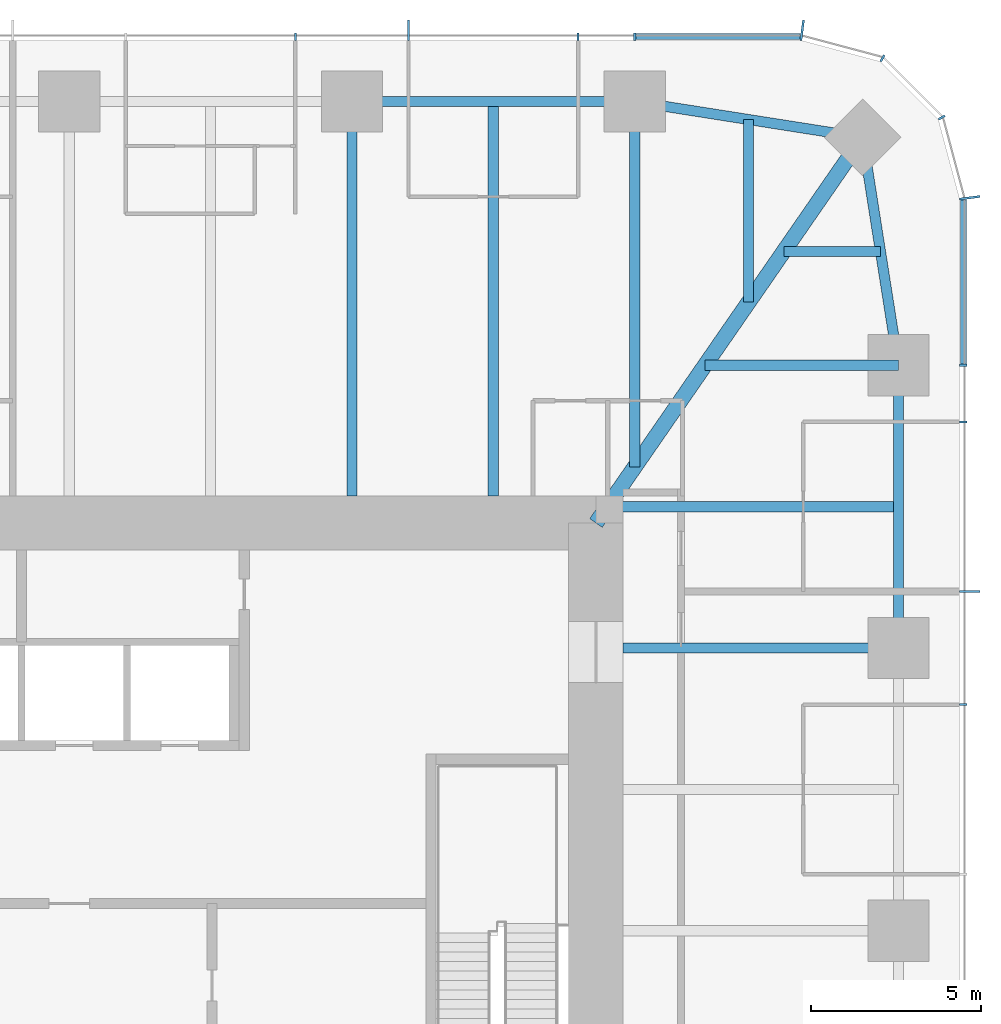
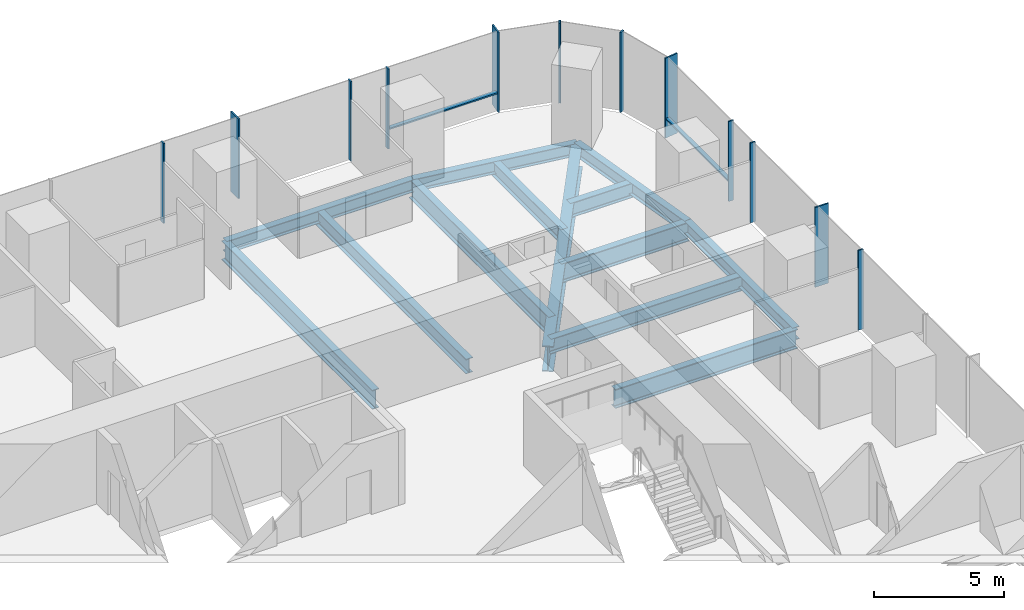
# One storey, part 6 of 12: 14 members, 13 beams, 3 elements without a shape of their own.
"""IFC4 building model written with IfcOpenShell, lengths in metres."""

from ifc_helpers import new_model, si_unit, direction, frame, origin, origin_2d, place, context, subcontext, project, spatial, rectangle, i_section, extrude, material, material_profile, profile_set, type_object, element, aggregate, save


model = new_model("IFC4")

# Units and contexts
model_context = context("Model", 3, precision=1e-05, world=origin(), true_north=direction((0.0, 1.0)))
body_context = subcontext(model_context, "Body", "Model", "MODEL_VIEW")
ifc_project = project(units=[si_unit("LENGTHUNIT", "METRE"), si_unit("AREAUNIT", "SQUARE_METRE"), si_unit("VOLUMEUNIT", "CUBIC_METRE"), si_unit("PLANEANGLEUNIT", "RADIAN"), si_unit("MASSUNIT", "GRAM", prefix="KILO")], contexts=[model_context])

# Site, building, storey
site_placement = place(None, origin())
site = spatial("IfcSite", under=ifc_project, at=site_placement, CompositionType="ELEMENT")
building_placement = place(site_placement, origin())
building = spatial("IfcBuilding", under=site, at=building_placement, Name="Khuree Lantern Residences", CompositionType="ELEMENT")
storey_placement = place(building_placement, frame((0.0, 0.0, 222.0)))
storey = spatial("IfcBuildingStorey", under=building, at=storey_placement, Name="L55", CompositionType="ELEMENT", Elevation=222.0)

# Beams
ifc_material_1 = material(Name="Steel S355", Category="steel")
ifc_material_profile_1 = material_profile(ifc_material_1, i_section(OverallWidth=0.300048828125, OverallDepth=0.68994140625, WebThickness=0.014404296875, FlangeThickness=0.027099609375, FilletRadius=0.027099609375, at=origin_2d()), Name="HE 700 A")
ifc_profile_set_1 = profile_set([ifc_material_profile_1], Name="Steel S355")
beam_type_1 = type_object("IfcBeamType", Name="B-32 SECONDARY BEAM HE 700 A", PredefinedType="BEAM", material=ifc_profile_set_1)
beam_1_placement = place(storey_placement, frame((12.47998046875, 24.39990234375, -0.594970703125), z_axis=(0.0, -1.0, 0.0), x_axis=(1.0, 0.0, 0.0)))
element("IfcBeam", 1, at=beam_1_placement, inside=storey, type_object=beam_type_1, Name="Secondary beam N4", PredefinedType="BEAM", context=body_context, shape_type="SweptSolid", body=[
    extrude(i_section(OverallWidth=0.300048828125, OverallDepth=0.68994140625, WebThickness=0.014404296875, FlangeThickness=0.027099609375, FilletRadius=0.027099609375, at=origin_2d()), origin(), (0.0, 0.0, 1.0), 11.599853515625),
])
beam_2_placement = place(storey_placement, frame((19.992919921875, 23.872802734375, -0.594970703125), z_axis=(0.0, -1.0, 0.0), x_axis=(1.0, 0.0, 0.0)))
element("IfcBeam", 2, at=beam_2_placement, inside=storey, type_object=beam_type_1, Name="Secondary beam N5", PredefinedType="BEAM", context=body_context, shape_type="SweptSolid", body=[
    extrude(i_section(OverallWidth=0.300048828125, OverallDepth=0.68994140625, WebThickness=0.014404296875, FlangeThickness=0.027099609375, FilletRadius=0.027099609375, at=origin_2d()), origin(), (0.0, 0.0, 1.0), 5.375732421875),
])
beam_3_placement = place(storey_placement, frame((23.872802734375, 19.992919921875, -0.594970703125), z_axis=(-1.0, 0.0, 0.0), x_axis=(0.0, -1.0, 0.0)))
element("IfcBeam", 3, at=beam_3_placement, inside=storey, type_object=beam_type_1, Name="Secondary beam E1", PredefinedType="BEAM", context=body_context, shape_type="SweptSolid", body=[
    extrude(i_section(OverallWidth=0.300048828125, OverallDepth=0.68994140625, WebThickness=0.014404296875, FlangeThickness=0.027099609375, FilletRadius=0.027099609375, at=origin_2d()), origin(), (0.0, 0.0, 1.0), 2.845703125),
])
beam_4_placement = place(storey_placement, frame((24.39990234375, 12.47998046875, -0.594970703125), z_axis=(-1.0, 0.0, 0.0), x_axis=(0.0, -1.0, 0.0)))
element("IfcBeam", 4, at=beam_4_placement, inside=storey, type_object=beam_type_1, Name="Secondary beam E2", PredefinedType="BEAM", context=body_context, shape_type="SweptSolid", body=[
    extrude(i_section(OverallWidth=0.300048828125, OverallDepth=0.68994140625, WebThickness=0.014404296875, FlangeThickness=0.027099609375, FilletRadius=0.027099609375, at=origin_2d()), origin(), (0.0, 0.0, 1.0), 8.56787109375),
])
ifc_material_profile_2 = material_profile(ifc_material_1, i_section(OverallWidth=0.300048828125, OverallDepth=0.590087890625, WebThickness=0.012939453125, FlangeThickness=0.02490234375, FilletRadius=0.027099609375, at=origin_2d()), Name="HE 600 A")
ifc_profile_set_2 = profile_set([ifc_material_profile_2], Name="Steel S355")
beam_type_2 = type_object("IfcBeamType", Name="E-32 SPANDREL BEAM HE 600 A", PredefinedType="SPANDREL", material=ifc_profile_set_2)
beam_5_placement = place(storey_placement, frame((8.320068359375, 24.39990234375, -0.544921875), z_axis=(1.0, 0.0, 0.0), x_axis=(0.0, 1.0, 0.0)))
element("IfcBeam", 5, at=beam_5_placement, inside=storey, type_object=beam_type_2, Name="Spandrel beam N4", PredefinedType="SPANDREL", context=body_context, shape_type="SweptSolid", body=[
    extrude(i_section(OverallWidth=0.300048828125, OverallDepth=0.590087890625, WebThickness=0.012939453125, FlangeThickness=0.02490234375, FilletRadius=0.027099609375, at=origin_2d()), origin(), (0.0, 0.0, 1.0), 8.31982421875),
])
for number, where, z_axis, x_axis, name in (
    (6, (16.639892578125, 24.39990234375, -0.544921875), (0.98786743189, -0.155299507442, 0.0), (0.155299507442, 0.98786743189, 0.0), "Spandrel beam N5"),
    (7, (23.345703125, 23.345703125, -0.544921875), (0.155299507442, -0.98786743189, 0.0), (0.98786743189, 0.155299507442, 0.0), "Spandrel beam E1"),
):
    element("IfcBeam", number, at=place(storey_placement, frame(where, z_axis=z_axis, x_axis=x_axis)), inside=storey, type_object=beam_type_2, Name=name, PredefinedType="SPANDREL", context=body_context, shape_type="SweptSolid", body=[
        extrude(i_section(OverallWidth=0.300048828125, OverallDepth=0.590087890625, WebThickness=0.012939453125, FlangeThickness=0.02490234375, FilletRadius=0.027099609375, at=origin_2d()), origin(), (0.0, 0.0, 1.0), 6.7880859375),
    ])
beam_6_placement = place(storey_placement, frame((24.39990234375, 16.639892578125, -0.544921875), z_axis=(0.0, -1.0, 0.0), x_axis=(1.0, 0.0, 0.0)))
element("IfcBeam", 8, at=beam_6_placement, inside=storey, type_object=beam_type_2, Name="Spandrel beam E2", PredefinedType="SPANDREL", context=body_context, shape_type="SweptSolid", body=[
    extrude(i_section(OverallWidth=0.300048828125, OverallDepth=0.590087890625, WebThickness=0.012939453125, FlangeThickness=0.02490234375, FilletRadius=0.027099609375, at=origin_2d()), origin(), (0.0, 0.0, 1.0), 8.31982421875),
])

# Curtain wall, member
ifc_material_2 = material(Name="Bronze anodised aluminium", Category="aluminium")
curtain_wall_type_1 = type_object("IfcCurtainWallType", Name="CW-T1 TOWER FACE CURTAIN WALL", PredefinedType="USERDEFINED", material=ifc_material_2)
curtain_wall_1_placement = place(storey_placement, origin())
curtain_wall_1 = element("IfcCurtainWall", 9, at=curtain_wall_1_placement, inside=storey, type_object=curtain_wall_type_1, Name="L55 EAST FACE CURTAIN WALL", ObjectType="Stick-built curtain wall", PredefinedType="USERDEFINED")
ifc_material_profile_3 = material_profile(ifc_material_2, rectangle(XDim=0.06494140625, YDim=0.60009765625, at=origin_2d()), Name="F1 65X600")
ifc_profile_set_3 = profile_set([ifc_material_profile_3], Name="Bronze anodised aluminium")
member_type_1 = type_object("IfcMemberType", Name="F1 BRONZE FIN MULLION TOWER 65X600", PredefinedType="MULLION", material=ifc_profile_set_3)
member_1_placement = place(storey_placement, frame((26.5, 9.98388671875, 0.0), z_axis=(0.0, 0.0, 1.0), x_axis=(0.0, 1.0, 0.0)))
member_1 = element("IfcMember", 10, at=member_1_placement, type_object=member_type_1, Name="L55 EAST FACE FIN MULLION 12", PredefinedType="MULLION", context=body_context, shape_type="SweptSolid", body=[
    extrude(rectangle(XDim=0.06494140625, YDim=0.60009765625, at=origin_2d()), origin(), (0.0, 0.0, 1.0), 3.75),
])

curtain_wall_type_2 = type_object("IfcCurtainWallType", Name="CW-T2 TOWER CORNER CURTAIN WALL", PredefinedType="USERDEFINED", material=ifc_material_2)
curtain_wall_2_placement = place(storey_placement, origin())
curtain_wall_2 = element("IfcCurtainWall", 11, at=curtain_wall_2_placement, inside=storey, type_object=curtain_wall_type_2, Name="L55 NORTH-EAST CORNER CURTAIN WALL", ObjectType="Faceted corner curtain wall", PredefinedType="USERDEFINED")
member_2_placement = place(storey_placement, frame((26.5, 21.56982421875, 0.0), z_axis=(0.0, 0.0, 1.0), x_axis=(-0.130526180298, 0.991444862943, 0.0)))
member_2 = element("IfcMember", 12, at=member_2_placement, type_object=member_type_1, Name="L55 NORTH-EAST CORNER FIN MULLION 15", PredefinedType="MULLION", context=body_context, shape_type="SweptSolid", body=[
    extrude(rectangle(XDim=0.06494140625, YDim=0.60009765625, at=origin_2d()), origin(), (0.0, 0.0, 1.0), 3.75),
])

# Curtain wall, members
curtain_wall_3_placement = place(storey_placement, origin())
curtain_wall_3 = element("IfcCurtainWall", 13, at=curtain_wall_3_placement, inside=storey, type_object=curtain_wall_type_1, Name="L55 NORTH FACE CURTAIN WALL", ObjectType="Stick-built curtain wall", PredefinedType="USERDEFINED")
member_3_placement = place(storey_placement, frame((21.56982421875, 26.5, 0.0), z_axis=(0.0, 0.0, 1.0), x_axis=(-0.991444862943, 0.130526180298, 0.0)))
member_3 = element("IfcMember", 14, at=member_3_placement, type_object=member_type_1, Name="L55 NORTH FACE FIN MULLION 18", PredefinedType="MULLION", context=body_context, shape_type="SweptSolid", body=[
    extrude(rectangle(XDim=0.06494140625, YDim=0.60009765625, at=origin_2d()), origin(), (0.0, 0.0, 1.0), 3.75),
])
member_4_placement = place(storey_placement, frame((9.98388671875, 26.5, 0.0), z_axis=(0.0, 0.0, 1.0), x_axis=(-1.0, 0.0, 0.0)))
member_4 = element("IfcMember", 15, at=member_4_placement, type_object=member_type_1, Name="L55 NORTH FACE FIN MULLION 21", PredefinedType="MULLION", context=body_context, shape_type="SweptSolid", body=[
    extrude(rectangle(XDim=0.06494140625, YDim=0.60009765625, at=origin_2d()), origin(), (0.0, 0.0, 1.0), 3.75),
])

# Beams
ifc_material_profile_4 = material_profile(ifc_material_1, i_section(OverallWidth=0.300048828125, OverallDepth=0.89990234375, WebThickness=0.0185546875, FlangeThickness=0.034912109375, FilletRadius=0.030029296875, at=origin_2d()), Name="HE 900 B")
ifc_profile_set_4 = profile_set([ifc_material_profile_4], Name="Steel S355")
beam_type_3 = type_object("IfcBeamType", Name="G-32 GIRDER HE 900 B", PredefinedType="BEAM", material=ifc_profile_set_4)
beam_7_placement = place(storey_placement, frame((8.320068359375, 24.39990234375, -0.699951171875), z_axis=(0.0, -1.0, 0.0), x_axis=(1.0, 0.0, 0.0)))
element("IfcBeam", 16, at=beam_7_placement, inside=storey, type_object=beam_type_3, Name="Girder N4", PredefinedType="BEAM", context=body_context, shape_type="SweptSolid", body=[
    extrude(i_section(OverallWidth=0.300048828125, OverallDepth=0.89990234375, WebThickness=0.0185546875, FlangeThickness=0.034912109375, FilletRadius=0.030029296875, at=origin_2d()), origin(), (0.0, 0.0, 1.0), 11.599853515625),
])
beam_8_placement = place(storey_placement, frame((16.639892578125, 24.39990234375, -0.699951171875), z_axis=(0.0, -1.0, 0.0), x_axis=(1.0, 0.0, 0.0)))
element("IfcBeam", 17, at=beam_8_placement, inside=storey, type_object=beam_type_3, Name="Girder N5", PredefinedType="BEAM", context=body_context, shape_type="SweptSolid", body=[
    extrude(i_section(OverallWidth=0.300048828125, OverallDepth=0.89990234375, WebThickness=0.0185546875, FlangeThickness=0.034912109375, FilletRadius=0.030029296875, at=origin_2d()), origin(), (0.0, 0.0, 1.0), 10.751220703125),
])
beam_9_placement = place(storey_placement, frame((24.39990234375, 16.639892578125, -0.699951171875), z_axis=(-1.0, 0.0, 0.0), x_axis=(0.0, -1.0, 0.0)))
element("IfcBeam", 18, at=beam_9_placement, inside=storey, type_object=beam_type_3, Name="Girder E1", PredefinedType="BEAM", context=body_context, shape_type="SweptSolid", body=[
    extrude(i_section(OverallWidth=0.300048828125, OverallDepth=0.89990234375, WebThickness=0.0185546875, FlangeThickness=0.034912109375, FilletRadius=0.030029296875, at=origin_2d()), origin(), (0.0, 0.0, 1.0), 5.69140625),
])
beam_10_placement = place(storey_placement, frame((24.39990234375, 8.320068359375, -0.699951171875), z_axis=(-1.0, 0.0, 0.0), x_axis=(0.0, -1.0, 0.0)))
element("IfcBeam", 19, at=beam_10_placement, inside=storey, type_object=beam_type_3, Name="Girder E2", PredefinedType="BEAM", context=body_context, shape_type="SweptSolid", body=[
    extrude(i_section(OverallWidth=0.300048828125, OverallDepth=0.89990234375, WebThickness=0.0185546875, FlangeThickness=0.034912109375, FilletRadius=0.030029296875, at=origin_2d()), origin(), (0.0, 0.0, 1.0), 8.099853515625),
])
ifc_material_profile_5 = material_profile(ifc_material_1, i_section(OverallWidth=0.449951171875, OverallDepth=1.199951171875, WebThickness=0.02490234375, FlangeThickness=0.044921875, at=origin_2d()), Name="WELDED I 1200X450X25X45")
ifc_profile_set_5 = profile_set([ifc_material_profile_5], Name="Steel S355")
beam_type_4 = type_object("IfcBeamType", Name="GD-32 CORNER GIRDER WELDED I 1200X450X25X45", PredefinedType="BEAM", material=ifc_profile_set_5)
beam_11_placement = place(storey_placement, frame((23.345703125, 23.345703125, -0.85009765625), z_axis=(-0.56876813501, -0.822497907959, 0.0), x_axis=(0.822497907959, -0.56876813501, 0.0)))
element("IfcBeam", 20, at=beam_11_placement, inside=storey, type_object=beam_type_4, Name="Corner girder NE", PredefinedType="BEAM", context=body_context, shape_type="SweptSolid", body=[
    extrude(i_section(OverallWidth=0.449951171875, OverallDepth=1.199951171875, WebThickness=0.02490234375, FlangeThickness=0.044921875, at=origin_2d()), origin(), (0.0, 0.0, 1.0), 13.794189453125),
])

# Member
ifc_material_profile_6 = material_profile(ifc_material_2, rectangle(XDim=0.06494140625, YDim=0.219970703125, at=origin_2d()), Name="M1 65X220")
ifc_profile_set_6 = profile_set([ifc_material_profile_6], Name="Bronze anodised aluminium")
member_type_2 = type_object("IfcMemberType", Name="M1 BRONZE MULLION TOWER 65X220", PredefinedType="MULLION", material=ifc_profile_set_6)
member_5_placement = place(storey_placement, frame((26.31005859375, 6.656005859375, 0.0), z_axis=(0.0, 0.0, 1.0), x_axis=(0.0, 1.0, 0.0)))
member_5 = element("IfcMember", 21, at=member_5_placement, type_object=member_type_2, Name="L55 EAST FACE MULLION 11", PredefinedType="MULLION", context=body_context, shape_type="SweptSolid", body=[
    extrude(rectangle(XDim=0.06494140625, YDim=0.219970703125, at=origin_2d()), origin(), (0.0, 0.0, 1.0), 3.75),
])

member_6_placement = place(storey_placement, frame((26.31005859375, 14.97607421875, 0.0), z_axis=(0.0, 0.0, 1.0), x_axis=(0.0, 1.0, 0.0)))
member_6 = element("IfcMember", 22, at=member_6_placement, type_object=member_type_2, Name="L55 EAST FACE MULLION 13", PredefinedType="MULLION", context=body_context, shape_type="SweptSolid", body=[
    extrude(rectangle(XDim=0.06494140625, YDim=0.219970703125, at=origin_2d()), origin(), (0.0, 0.0, 1.0), 3.75),
])

member_7_placement = place(storey_placement, frame((26.31005859375, 16.639892578125, 0.0), z_axis=(0.0, 0.0, 1.0), x_axis=(0.0, 1.0, 0.0)))
member_7 = element("IfcMember", 23, at=member_7_placement, type_object=member_type_2, Name="L55 EAST FACE MULLION 14", PredefinedType="MULLION", context=body_context, shape_type="SweptSolid", body=[
    extrude(rectangle(XDim=0.06494140625, YDim=0.219970703125, at=origin_2d()), origin(), (0.0, 0.0, 1.0), 3.75),
])

member_8_placement = place(storey_placement, frame((25.67236328125, 23.929931640625, 0.0), z_axis=(0.0, 0.0, 1.0), x_axis=(-0.499999989586, 0.866025409797, 0.0)))
member_8 = element("IfcMember", 24, at=member_8_placement, type_object=member_type_2, Name="L55 NORTH-EAST CORNER MULLION 16", PredefinedType="MULLION", context=body_context, shape_type="SweptSolid", body=[
    extrude(rectangle(XDim=0.06494140625, YDim=0.219970703125, at=origin_2d()), origin(), (0.0, 0.0, 1.0), 3.75),
])

member_9_placement = place(storey_placement, frame((23.929931640625, 25.67236328125, 0.0), z_axis=(0.0, 0.0, 1.0), x_axis=(-0.866025409797, 0.499999989586, 0.0)))
member_9 = element("IfcMember", 25, at=member_9_placement, type_object=member_type_2, Name="L55 NORTH-EAST CORNER MULLION 17", PredefinedType="MULLION", context=body_context, shape_type="SweptSolid", body=[
    extrude(rectangle(XDim=0.06494140625, YDim=0.219970703125, at=origin_2d()), origin(), (0.0, 0.0, 1.0), 3.75),
])

aggregate(curtain_wall_2, [member_2, member_8, member_9])

member_10_placement = place(storey_placement, frame((16.639892578125, 26.31005859375, 0.0), z_axis=(0.0, 0.0, 1.0), x_axis=(-1.0, 0.0, 0.0)))
member_10 = element("IfcMember", 26, at=member_10_placement, type_object=member_type_2, Name="L55 NORTH FACE MULLION 19", PredefinedType="MULLION", context=body_context, shape_type="SweptSolid", body=[
    extrude(rectangle(XDim=0.06494140625, YDim=0.219970703125, at=origin_2d()), origin(), (0.0, 0.0, 1.0), 3.75),
])

member_11_placement = place(storey_placement, frame((14.97607421875, 26.31005859375, 0.0), z_axis=(0.0, 0.0, 1.0), x_axis=(-1.0, 0.0, 0.0)))
member_11 = element("IfcMember", 27, at=member_11_placement, type_object=member_type_2, Name="L55 NORTH FACE MULLION 20", PredefinedType="MULLION", context=body_context, shape_type="SweptSolid", body=[
    extrude(rectangle(XDim=0.06494140625, YDim=0.219970703125, at=origin_2d()), origin(), (0.0, 0.0, 1.0), 3.75),
])

member_12_placement = place(storey_placement, frame((6.656005859375, 26.31005859375, 0.0), z_axis=(0.0, 0.0, 1.0), x_axis=(-1.0, 0.0, 0.0)))
member_12 = element("IfcMember", 28, at=member_12_placement, type_object=member_type_2, Name="L55 NORTH FACE MULLION 22", PredefinedType="MULLION", context=body_context, shape_type="SweptSolid", body=[
    extrude(rectangle(XDim=0.06494140625, YDim=0.219970703125, at=origin_2d()), origin(), (0.0, 0.0, 1.0), 3.75),
])

ifc_material_profile_7 = material_profile(ifc_material_2, rectangle(XDim=0.179931640625, YDim=0.06494140625, at=origin_2d()), Name="T1 180X65")
ifc_profile_set_7 = profile_set([ifc_material_profile_7], Name="Bronze anodised aluminium")
member_type_3 = type_object("IfcMemberType", Name="TRANSOM T1 TOWER 180X65", PredefinedType="USERDEFINED", material=ifc_profile_set_7)
member_13_placement = place(storey_placement, frame((26.320068359375, 16.672607421875, 0.89990234375), z_axis=(0.0, 1.0, 0.0), x_axis=(-1.0, 0.0, 0.0)))
member_13 = element("IfcMember", 29, at=member_13_placement, type_object=member_type_3, Name="L55 EAST FACE TRANSOM 14.1", ObjectType="Transom", PredefinedType="USERDEFINED", context=body_context, shape_type="SweptSolid", body=[
    extrude(rectangle(XDim=0.179931640625, YDim=0.06494140625, at=origin_2d()), origin(), (0.0, 0.0, 1.0), 4.828857421875),
])

aggregate(curtain_wall_1, [member_5, member_1, member_6, member_7, member_13])

member_14_placement = place(storey_placement, frame((21.50146484375, 26.320068359375, 0.89990234375), z_axis=(-1.0, 0.0, 0.0), x_axis=(0.0, -1.0, 0.0)))
member_14 = element("IfcMember", 30, at=member_14_placement, type_object=member_type_3, Name="L55 NORTH FACE TRANSOM 18.1", ObjectType="Transom", PredefinedType="USERDEFINED", context=body_context, shape_type="SweptSolid", body=[
    extrude(rectangle(XDim=0.179931640625, YDim=0.06494140625, at=origin_2d()), origin(), (0.0, 0.0, 1.0), 4.828857421875),
])

aggregate(curtain_wall_3, [member_3, member_10, member_11, member_4, member_12, member_14])

save(model, "model.ifc")
